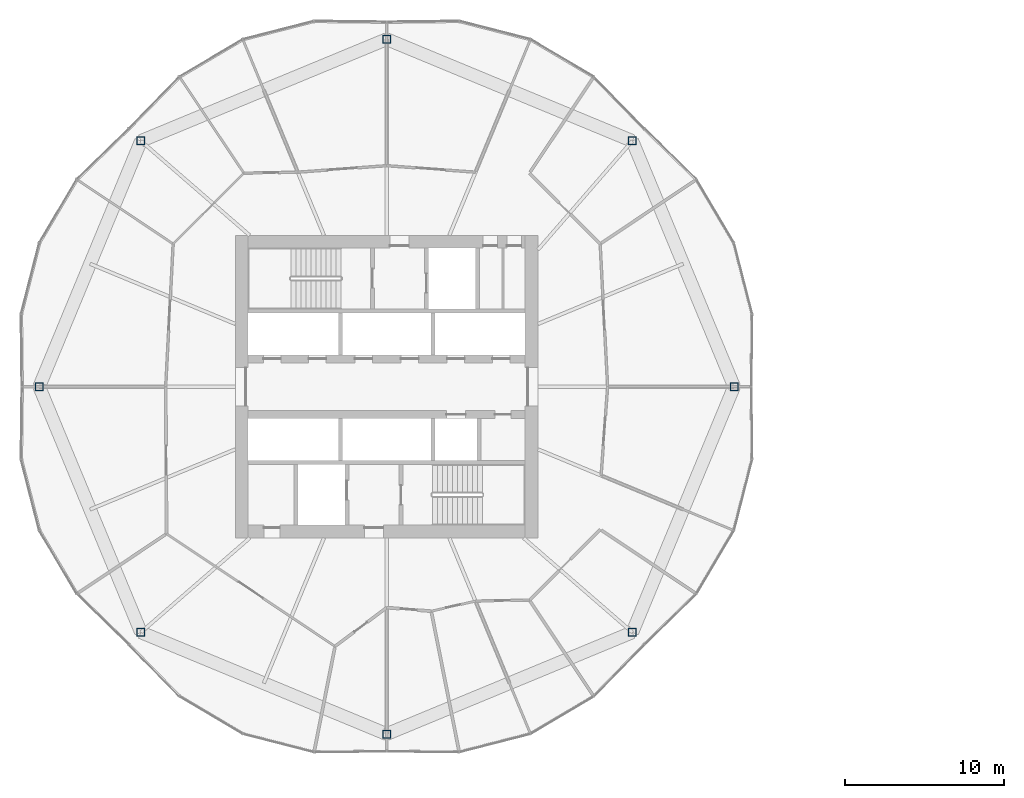
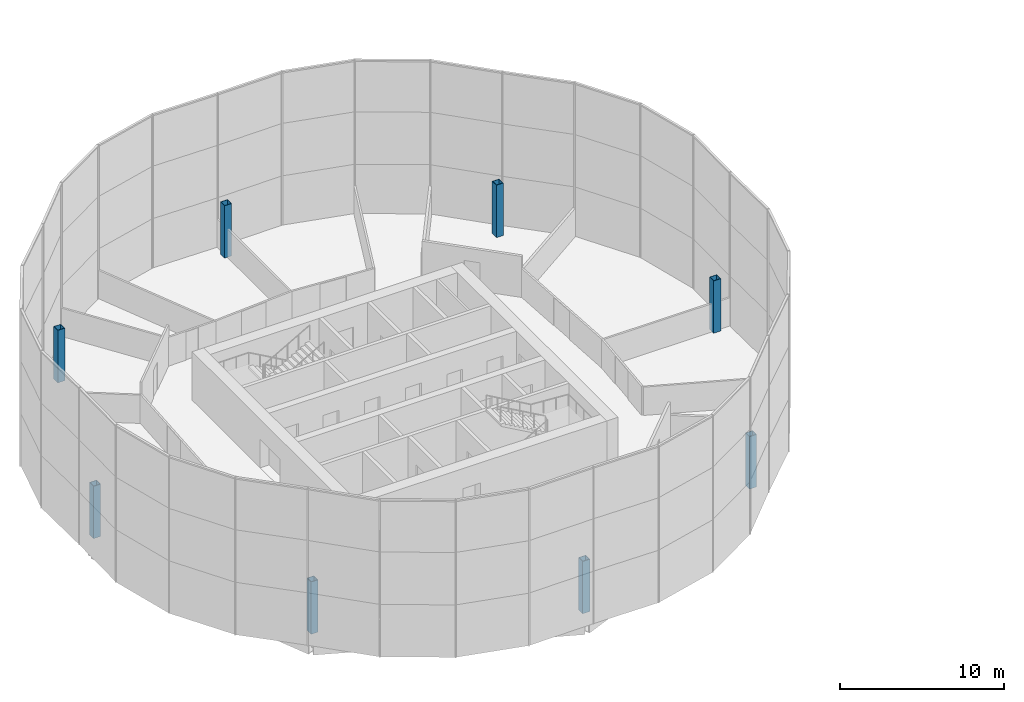
# One storey, part 1 of 25: 8 columns.
"""IFC4 building model written with IfcOpenShell, lengths in metres."""

from ifc_helpers import new_model, si_unit, direction, frame, origin, origin_2d, place, context, subcontext, project, spatial, hollow_rectangle, extrude, material, material_profile, profile_set, type_object, element, save


model = new_model("IFC4")

# Units and contexts
model_context = context("Model", 3, precision=1e-05, world=origin(), true_north=direction((0.0, 1.0)))
body_context = subcontext(model_context, "Body", "Model", "MODEL_VIEW")
ifc_project = project(units=[si_unit("LENGTHUNIT", "METRE"), si_unit("AREAUNIT", "SQUARE_METRE"), si_unit("VOLUMEUNIT", "CUBIC_METRE"), si_unit("PLANEANGLEUNIT", "RADIAN"), si_unit("MASSUNIT", "GRAM", prefix="KILO")], contexts=[model_context])

# Site, building, storey
site_placement = place(None, origin())
site = spatial("IfcSite", under=ifc_project, at=site_placement, CompositionType="ELEMENT")
building_placement = place(site_placement, origin())
building = spatial("IfcBuilding", under=site, at=building_placement, Name="Ogive Gate Towers", CompositionType="ELEMENT")
storey_placement = place(building_placement, frame((0.0, 0.0, 44.10009765625)))
storey = spatial("IfcBuildingStorey", under=building, at=storey_placement, Name="L09", CompositionType="ELEMENT", Elevation=44.10009765625)

# Columns
ifc_material = material(Name="Steel SM460", Category="steel")
ifc_material_profile = material_profile(ifc_material, hollow_rectangle(XDim=0.5, YDim=0.5, WallThickness=0.030029296875, at=origin_2d()), Name="BX 500x500x30")
ifc_profile_set = profile_set([ifc_material_profile], Name="Steel SM460")
column_type = type_object("IfcColumnType", Name="Perimeter post BX 500x500x30", PredefinedType="COLUMN", material=ifc_profile_set)
for number, where, z_axis, x_axis, name in (
    (1, (-14.18994140625, 0.0, 0.0), (0.0, 0.0, 1.0), (1.0, 0.0, 0.0), "T1/L09/SCL001"),
    (2, (-20.577880859375, 15.422119140625, 0.0), (0.0, 0.0, 1.0), (1.0, 0.0, 0.0), "T1/L09/SCL002"),
    (3, (-36.0, 21.81005859375, 0.0), (0.0, 0.0, 1.0), (1.0, 0.0, 0.0), "T1/L09/SCL003"),
    (4, (-51.422119140625, 15.422119140625, 0.0), (0.0, 0.0, 1.0), (1.0, 0.0, 0.0), "T1/L09/SCL004"),
    (5, (-57.81005859375, 0.0, 0.0), (0.0, 0.0, 1.0), (1.0, 0.0, 0.0), "T1/L09/SCL005"),
    (6, (-51.422119140625, -15.422119140625, 0.0), (0.0, 0.0, 1.0), (1.0, 0.0, 0.0), "T1/L09/SCL006"),
    (7, (-36.0, -21.81005859375, 0.0), (0.0, 0.0, 1.0), (1.0, 0.0, 0.0), "T1/L09/SCL007"),
    (8, (-20.577880859375, -15.422119140625, 0.0), (0.0, 0.0, 1.0), (1.0, 0.0, 0.0), "T1/L09/SCL008"),
):
    element("IfcColumn", number, at=place(storey_placement, frame(where, z_axis=z_axis, x_axis=x_axis)), inside=storey, type_object=column_type, Name=name, PredefinedType="COLUMN", context=body_context, shape_type="SweptSolid", body=[
        extrude(hollow_rectangle(XDim=0.5, YDim=0.5, WallThickness=0.030029296875, at=origin_2d()), origin(), (0.0, 0.0, 1.0), 3.89990234375),
    ])

save(model, "model.ifc")
